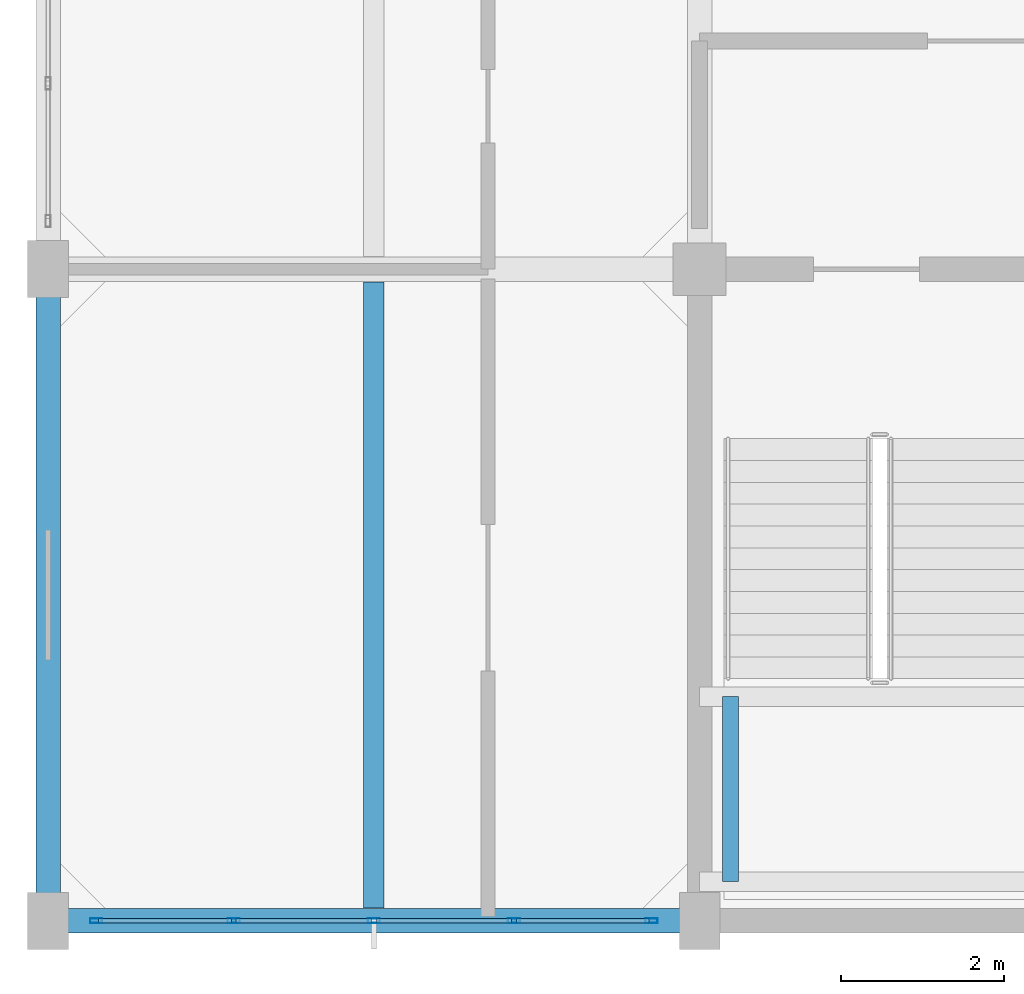
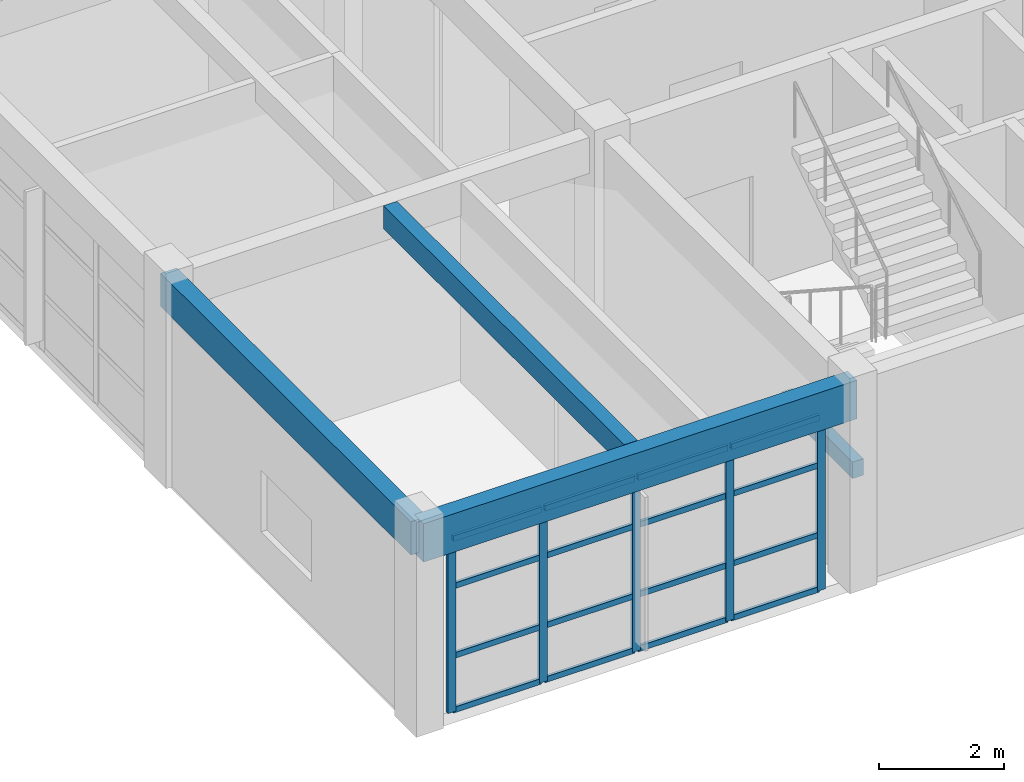
# One storey, part 2 of 18: 21 members, 4 beams, 1 element without a shape of its own.
"""IFC4 building model written with IfcOpenShell, lengths in metres."""

from ifc_helpers import new_model, si_unit, direction, frame, origin, origin_2d, place, context, subcontext, project, spatial, rectangle, hollow_rectangle, extrude, material, layer, layer_set, material_profile, profile_set, type_object, element, aggregate, save


model = new_model("IFC4")

# Units and contexts
model_context = context("Model", 3, precision=1e-05, world=origin(), true_north=direction((0.0, 1.0)))
body_context = subcontext(model_context, "Body", "Model", "MODEL_VIEW")
ifc_project = project(units=[si_unit("LENGTHUNIT", "METRE"), si_unit("AREAUNIT", "SQUARE_METRE"), si_unit("VOLUMEUNIT", "CUBIC_METRE"), si_unit("PLANEANGLEUNIT", "RADIAN"), si_unit("MASSUNIT", "GRAM", prefix="KILO")], contexts=[model_context])

# Site, building, storey
site_placement = place(None, origin())
site = spatial("IfcSite", under=ifc_project, at=site_placement, CompositionType="ELEMENT")
building_placement = place(site_placement, origin())
building = spatial("IfcBuilding", under=site, at=building_placement, Name="Canggui Botanical Conservatory", CompositionType="ELEMENT")
storey_placement = place(building_placement, frame((0.0, 0.0, 61.199951171875)))
storey = spatial("IfcBuildingStorey", under=building, at=storey_placement, Name="L15", CompositionType="ELEMENT", Elevation=61.199951171875)

# Beams
ifc_material_1 = material(Name="Concrete C35", Category="concrete")
ifc_material_profile_1 = material_profile(ifc_material_1, rectangle(XDim=0.25, YDim=0.449951171875, at=origin_2d()), Name="RB 250x450")
ifc_profile_set_1 = profile_set([ifc_material_profile_1], Name="Concrete C35")
beam_type_1 = type_object("IfcBeamType", Name="BM-JST05", PredefinedType="JOIST", material=ifc_profile_set_1)
beam_1_placement = place(storey_placement, frame((150.0, 42.155029296875, 3.735107421875), z_axis=(0.0, 1.0, 0.0), x_axis=(-1.0, 0.0, 0.0)))
element("IfcBeam", 1, at=beam_1_placement, inside=storey, type_object=beam_type_1, Name="Secondary Floor Joist L15-1-1", PredefinedType="JOIST", context=body_context, shape_type="SweptSolid", body=[
    extrude(rectangle(XDim=0.25, YDim=0.449951171875, at=origin_2d()), origin(), (0.0, 0.0, 1.0), 7.68994140625),
])
ifc_material_profile_2 = material_profile(ifc_material_1, rectangle(XDim=0.300048828125, YDim=0.64990234375, at=origin_2d()), Name="RB 300x650")
ifc_profile_set_2 = profile_set([ifc_material_profile_2], Name="Concrete C35")
beam_type_2 = type_object("IfcBeamType", Name="BM-KL22", PredefinedType="BEAM", material=ifc_profile_set_2)
beam_2_placement = place(storey_placement, frame((146.0, 42.0, 3.635009765625), z_axis=(0.0, 1.0, 0.0), x_axis=(-1.0, 0.0, 0.0)))
element("IfcBeam", 2, at=beam_2_placement, inside=storey, type_object=beam_type_2, Name="Frame Girder L15 X146-1", PredefinedType="BEAM", context=body_context, shape_type="SweptSolid", body=[
    extrude(rectangle(XDim=0.300048828125, YDim=0.64990234375, at=origin_2d()), origin(), (0.0, 0.0, 1.0), 8.0),
])
ifc_material_profile_3 = material_profile(ifc_material_1, rectangle(XDim=0.199951171875, YDim=0.320068359375, at=origin_2d()), Name="RB 200x320")
ifc_profile_set_3 = profile_set([ifc_material_profile_3], Name="Concrete C35")
beam_type_3 = type_object("IfcBeamType", Name="BM-LIN02", PredefinedType="LINTEL", material=ifc_profile_set_3)
beam_3_placement = place(storey_placement, frame((154.3798828125, 42.47998046875, 1.719970703125), z_axis=(0.0, 1.0, 0.0), x_axis=(-1.0, 0.0, 0.0)))
element("IfcBeam", 3, at=beam_3_placement, inside=storey, type_object=beam_type_3, Name="ST-T1 Half-Landing Edge Ledger L15-1.3", PredefinedType="LINTEL", context=body_context, shape_type="SweptSolid", body=[
    extrude(rectangle(XDim=0.199951171875, YDim=0.320068359375, at=origin_2d()), origin(), (0.0, 0.0, 1.0), 2.2724609375),
])
ifc_material_profile_4 = material_profile(ifc_material_1, rectangle(XDim=0.300048828125, YDim=0.75, at=origin_2d()), Name="RB 300x750")
ifc_profile_set_4 = profile_set([ifc_material_profile_4], Name="Concrete C35")
beam_type_4 = type_object("IfcBeamType", Name="BM-SPD01", PredefinedType="SPANDREL", material=ifc_profile_set_4)
beam_4_placement = place(storey_placement, frame((146.0, 42.0, 3.5849609375), z_axis=(1.0, 0.0, 0.0), x_axis=(0.0, 1.0, 0.0)))
element("IfcBeam", 4, at=beam_4_placement, inside=storey, type_object=beam_type_4, Name="Frame Girder L15 Y42-1", PredefinedType="SPANDREL", context=body_context, shape_type="SweptSolid", body=[
    extrude(rectangle(XDim=0.300048828125, YDim=0.75, at=origin_2d()), origin(), (0.0, 0.0, 1.0), 8.0),
])

# Curtain wall, members
ifc_material_2 = material(Name="Thermally Broken Aluminium", Category="aluminium")
ifc_layer = layer(ifc_material_2, 0.14990234375, Name="Thermally Broken Aluminium", Category="aluminium")
ifc_layer_set = layer_set([ifc_layer], Name="Thermally Broken Aluminium")
curtain_wall_type = type_object("IfcCurtainWallType", Name="CW-UNIT-C", PredefinedType="USERDEFINED", material=ifc_layer_set)
curtain_wall_placement = place(storey_placement, origin())
curtain_wall = element("IfcCurtainWall", 5, at=curtain_wall_placement, inside=storey, type_object=curtain_wall_type, Name="Facade Curtain Wall CW-TWR-L15-03", ObjectType="UNITISED CURTAIN WALL", PredefinedType="USERDEFINED")
ifc_material_profile_5 = material_profile(ifc_material_2, hollow_rectangle(XDim=0.06005859375, YDim=0.14990234375, WallThickness=0.00341796875, at=origin_2d()), Name="CWM 60x150x3.5")
ifc_profile_set_5 = profile_set([ifc_material_profile_5], Name="Thermally Broken Aluminium")
member_type_1 = type_object("IfcMemberType", Name="CWM-03", PredefinedType="MULLION", material=ifc_profile_set_5)
member_1_placement = place(storey_placement, frame((153.409912109375, 42.0, 0.0), z_axis=(0.0, 0.0, 1.0), x_axis=(0.0, -1.0, 0.0)))
member_1 = element("IfcMember", 6, at=member_1_placement, type_object=member_type_1, Name="CW-03 mullion 1", PredefinedType="MULLION", context=body_context, shape_type="SweptSolid", body=[
    extrude(hollow_rectangle(XDim=0.06005859375, YDim=0.14990234375, WallThickness=0.00341796875, at=origin_2d()), origin(), (0.0, 0.0, 1.0), 3.400146484375),
])
member_2_placement = place(storey_placement, frame((151.719970703125, 42.0, 0.0), z_axis=(0.0, 0.0, 1.0), x_axis=(0.0, -1.0, 0.0)))
member_2 = element("IfcMember", 7, at=member_2_placement, type_object=member_type_1, Name="CW-03 mullion 2", PredefinedType="MULLION", context=body_context, shape_type="SweptSolid", body=[
    extrude(hollow_rectangle(XDim=0.06005859375, YDim=0.14990234375, WallThickness=0.00341796875, at=origin_2d()), origin(), (0.0, 0.0, 1.0), 3.400146484375),
])
member_3_placement = place(storey_placement, frame((150.0, 42.0, 0.0), z_axis=(0.0, 0.0, 1.0), x_axis=(0.0, -1.0, 0.0)))
member_3 = element("IfcMember", 8, at=member_3_placement, type_object=member_type_1, Name="CW-03 mullion 3", PredefinedType="MULLION", context=body_context, shape_type="SweptSolid", body=[
    extrude(hollow_rectangle(XDim=0.06005859375, YDim=0.14990234375, WallThickness=0.00341796875, at=origin_2d()), origin(), (0.0, 0.0, 1.0), 3.400146484375),
])
member_4_placement = place(storey_placement, frame((148.280029296875, 42.0, 0.0), z_axis=(0.0, 0.0, 1.0), x_axis=(0.0, -1.0, 0.0)))
member_4 = element("IfcMember", 9, at=member_4_placement, type_object=member_type_1, Name="CW-03 mullion 4", PredefinedType="MULLION", context=body_context, shape_type="SweptSolid", body=[
    extrude(hollow_rectangle(XDim=0.06005859375, YDim=0.14990234375, WallThickness=0.00341796875, at=origin_2d()), origin(), (0.0, 0.0, 1.0), 3.400146484375),
])
member_5_placement = place(storey_placement, frame((146.590087890625, 42.0, 0.0), z_axis=(0.0, 0.0, 1.0), x_axis=(0.0, -1.0, 0.0)))
member_5 = element("IfcMember", 10, at=member_5_placement, type_object=member_type_1, Name="CW-03 mullion 5", PredefinedType="MULLION", context=body_context, shape_type="SweptSolid", body=[
    extrude(hollow_rectangle(XDim=0.06005859375, YDim=0.14990234375, WallThickness=0.00341796875, at=origin_2d()), origin(), (0.0, 0.0, 1.0), 3.400146484375),
])
ifc_material_profile_6 = material_profile(ifc_material_2, hollow_rectangle(XDim=0.054931640625, YDim=0.110107421875, WallThickness=0.0029296875, at=origin_2d()), Name="CWT 55x110x3")
ifc_profile_set_6 = profile_set([ifc_material_profile_6], Name="Thermally Broken Aluminium")
member_type_2 = type_object("IfcMemberType", Name="CWT-03", PredefinedType="USERDEFINED", material=ifc_profile_set_6)
member_6_placement = place(storey_placement, frame((153.3798828125, 42.0, 0.027587890625), z_axis=(-1.0, 0.0, 0.0), x_axis=(0.0, -1.0, 0.0)))
member_6 = element("IfcMember", 11, at=member_6_placement, type_object=member_type_2, Name="CW-03 transom 1.1", ObjectType="TRANSOM", PredefinedType="USERDEFINED", context=body_context, shape_type="SweptSolid", body=[
    extrude(hollow_rectangle(XDim=0.054931640625, YDim=0.110107421875, WallThickness=0.0029296875, at=origin_2d()), origin(), (0.0, 0.0, 1.0), 1.6298828125),
])
member_7_placement = place(storey_placement, frame((153.3798828125, 42.0, 1.088134765625), z_axis=(-1.0, 0.0, 0.0), x_axis=(0.0, -1.0, 0.0)))
member_7 = element("IfcMember", 12, at=member_7_placement, type_object=member_type_2, Name="CW-03 transom 1.2", ObjectType="TRANSOM", PredefinedType="USERDEFINED", context=body_context, shape_type="SweptSolid", body=[
    extrude(hollow_rectangle(XDim=0.054931640625, YDim=0.110107421875, WallThickness=0.0029296875, at=origin_2d()), origin(), (0.0, 0.0, 1.0), 1.6298828125),
])
member_8_placement = place(storey_placement, frame((153.3798828125, 42.0, 2.447998046875), z_axis=(-1.0, 0.0, 0.0), x_axis=(0.0, -1.0, 0.0)))
member_8 = element("IfcMember", 13, at=member_8_placement, type_object=member_type_2, Name="CW-03 transom 1.3", ObjectType="TRANSOM", PredefinedType="USERDEFINED", context=body_context, shape_type="SweptSolid", body=[
    extrude(hollow_rectangle(XDim=0.054931640625, YDim=0.110107421875, WallThickness=0.0029296875, at=origin_2d()), origin(), (0.0, 0.0, 1.0), 1.6298828125),
])
member_9_placement = place(storey_placement, frame((153.3798828125, 42.0, 3.37255859375), z_axis=(-1.0, 0.0, 0.0), x_axis=(0.0, -1.0, 0.0)))
member_9 = element("IfcMember", 14, at=member_9_placement, type_object=member_type_2, Name="CW-03 transom 1.4", ObjectType="TRANSOM", PredefinedType="USERDEFINED", context=body_context, shape_type="SweptSolid", body=[
    extrude(hollow_rectangle(XDim=0.054931640625, YDim=0.110107421875, WallThickness=0.0029296875, at=origin_2d()), origin(), (0.0, 0.0, 1.0), 1.6298828125),
])
member_10_placement = place(storey_placement, frame((151.68994140625, 42.0, 0.027587890625), z_axis=(-1.0, 0.0, 0.0), x_axis=(0.0, -1.0, 0.0)))
member_10 = element("IfcMember", 15, at=member_10_placement, type_object=member_type_2, Name="CW-03 transom 2.1", ObjectType="TRANSOM", PredefinedType="USERDEFINED", context=body_context, shape_type="SweptSolid", body=[
    extrude(hollow_rectangle(XDim=0.054931640625, YDim=0.110107421875, WallThickness=0.0029296875, at=origin_2d()), origin(), (0.0, 0.0, 1.0), 1.659912109375),
])
member_11_placement = place(storey_placement, frame((151.68994140625, 42.0, 1.088134765625), z_axis=(-1.0, 0.0, 0.0), x_axis=(0.0, -1.0, 0.0)))
member_11 = element("IfcMember", 16, at=member_11_placement, type_object=member_type_2, Name="CW-03 transom 2.2", ObjectType="TRANSOM", PredefinedType="USERDEFINED", context=body_context, shape_type="SweptSolid", body=[
    extrude(hollow_rectangle(XDim=0.054931640625, YDim=0.110107421875, WallThickness=0.0029296875, at=origin_2d()), origin(), (0.0, 0.0, 1.0), 1.659912109375),
])
member_12_placement = place(storey_placement, frame((151.68994140625, 42.0, 2.447998046875), z_axis=(-1.0, 0.0, 0.0), x_axis=(0.0, -1.0, 0.0)))
member_12 = element("IfcMember", 17, at=member_12_placement, type_object=member_type_2, Name="CW-03 transom 2.3", ObjectType="TRANSOM", PredefinedType="USERDEFINED", context=body_context, shape_type="SweptSolid", body=[
    extrude(hollow_rectangle(XDim=0.054931640625, YDim=0.110107421875, WallThickness=0.0029296875, at=origin_2d()), origin(), (0.0, 0.0, 1.0), 1.659912109375),
])
member_13_placement = place(storey_placement, frame((151.68994140625, 42.0, 3.37255859375), z_axis=(-1.0, 0.0, 0.0), x_axis=(0.0, -1.0, 0.0)))
member_13 = element("IfcMember", 18, at=member_13_placement, type_object=member_type_2, Name="CW-03 transom 2.4", ObjectType="TRANSOM", PredefinedType="USERDEFINED", context=body_context, shape_type="SweptSolid", body=[
    extrude(hollow_rectangle(XDim=0.054931640625, YDim=0.110107421875, WallThickness=0.0029296875, at=origin_2d()), origin(), (0.0, 0.0, 1.0), 1.659912109375),
])
member_14_placement = place(storey_placement, frame((149.969970703125, 42.0, 0.027587890625), z_axis=(-1.0, 0.0, 0.0), x_axis=(0.0, -1.0, 0.0)))
member_14 = element("IfcMember", 19, at=member_14_placement, type_object=member_type_2, Name="CW-03 transom 3.1", ObjectType="TRANSOM", PredefinedType="USERDEFINED", context=body_context, shape_type="SweptSolid", body=[
    extrude(hollow_rectangle(XDim=0.054931640625, YDim=0.110107421875, WallThickness=0.0029296875, at=origin_2d()), origin(), (0.0, 0.0, 1.0), 1.659912109375),
])
member_15_placement = place(storey_placement, frame((149.969970703125, 42.0, 1.088134765625), z_axis=(-1.0, 0.0, 0.0), x_axis=(0.0, -1.0, 0.0)))
member_15 = element("IfcMember", 20, at=member_15_placement, type_object=member_type_2, Name="CW-03 transom 3.2", ObjectType="TRANSOM", PredefinedType="USERDEFINED", context=body_context, shape_type="SweptSolid", body=[
    extrude(hollow_rectangle(XDim=0.054931640625, YDim=0.110107421875, WallThickness=0.0029296875, at=origin_2d()), origin(), (0.0, 0.0, 1.0), 1.659912109375),
])
member_16_placement = place(storey_placement, frame((149.969970703125, 42.0, 2.447998046875), z_axis=(-1.0, 0.0, 0.0), x_axis=(0.0, -1.0, 0.0)))
member_16 = element("IfcMember", 21, at=member_16_placement, type_object=member_type_2, Name="CW-03 transom 3.3", ObjectType="TRANSOM", PredefinedType="USERDEFINED", context=body_context, shape_type="SweptSolid", body=[
    extrude(hollow_rectangle(XDim=0.054931640625, YDim=0.110107421875, WallThickness=0.0029296875, at=origin_2d()), origin(), (0.0, 0.0, 1.0), 1.659912109375),
])
member_17_placement = place(storey_placement, frame((149.969970703125, 42.0, 3.37255859375), z_axis=(-1.0, 0.0, 0.0), x_axis=(0.0, -1.0, 0.0)))
member_17 = element("IfcMember", 22, at=member_17_placement, type_object=member_type_2, Name="CW-03 transom 3.4", ObjectType="TRANSOM", PredefinedType="USERDEFINED", context=body_context, shape_type="SweptSolid", body=[
    extrude(hollow_rectangle(XDim=0.054931640625, YDim=0.110107421875, WallThickness=0.0029296875, at=origin_2d()), origin(), (0.0, 0.0, 1.0), 1.659912109375),
])
member_18_placement = place(storey_placement, frame((148.25, 42.0, 0.027587890625), z_axis=(-1.0, 0.0, 0.0), x_axis=(0.0, -1.0, 0.0)))
member_18 = element("IfcMember", 23, at=member_18_placement, type_object=member_type_2, Name="CW-03 transom 4.1", ObjectType="TRANSOM", PredefinedType="USERDEFINED", context=body_context, shape_type="SweptSolid", body=[
    extrude(hollow_rectangle(XDim=0.054931640625, YDim=0.110107421875, WallThickness=0.0029296875, at=origin_2d()), origin(), (0.0, 0.0, 1.0), 1.6298828125),
])
member_19_placement = place(storey_placement, frame((148.25, 42.0, 1.088134765625), z_axis=(-1.0, 0.0, 0.0), x_axis=(0.0, -1.0, 0.0)))
member_19 = element("IfcMember", 24, at=member_19_placement, type_object=member_type_2, Name="CW-03 transom 4.2", ObjectType="TRANSOM", PredefinedType="USERDEFINED", context=body_context, shape_type="SweptSolid", body=[
    extrude(hollow_rectangle(XDim=0.054931640625, YDim=0.110107421875, WallThickness=0.0029296875, at=origin_2d()), origin(), (0.0, 0.0, 1.0), 1.6298828125),
])
member_20_placement = place(storey_placement, frame((148.25, 42.0, 2.447998046875), z_axis=(-1.0, 0.0, 0.0), x_axis=(0.0, -1.0, 0.0)))
member_20 = element("IfcMember", 25, at=member_20_placement, type_object=member_type_2, Name="CW-03 transom 4.3", ObjectType="TRANSOM", PredefinedType="USERDEFINED", context=body_context, shape_type="SweptSolid", body=[
    extrude(hollow_rectangle(XDim=0.054931640625, YDim=0.110107421875, WallThickness=0.0029296875, at=origin_2d()), origin(), (0.0, 0.0, 1.0), 1.6298828125),
])
member_21_placement = place(storey_placement, frame((148.25, 42.0, 3.37255859375), z_axis=(-1.0, 0.0, 0.0), x_axis=(0.0, -1.0, 0.0)))
member_21 = element("IfcMember", 26, at=member_21_placement, type_object=member_type_2, Name="CW-03 transom 4.4", ObjectType="TRANSOM", PredefinedType="USERDEFINED", context=body_context, shape_type="SweptSolid", body=[
    extrude(hollow_rectangle(XDim=0.054931640625, YDim=0.110107421875, WallThickness=0.0029296875, at=origin_2d()), origin(), (0.0, 0.0, 1.0), 1.6298828125),
])
aggregate(curtain_wall, [member_1, member_2, member_3, member_4, member_5, member_6, member_7, member_8, member_9, member_10, member_11, member_12, member_13, member_14, member_15, member_16, member_17, member_18, member_19, member_20, member_21])

save(model, "model.ifc")
